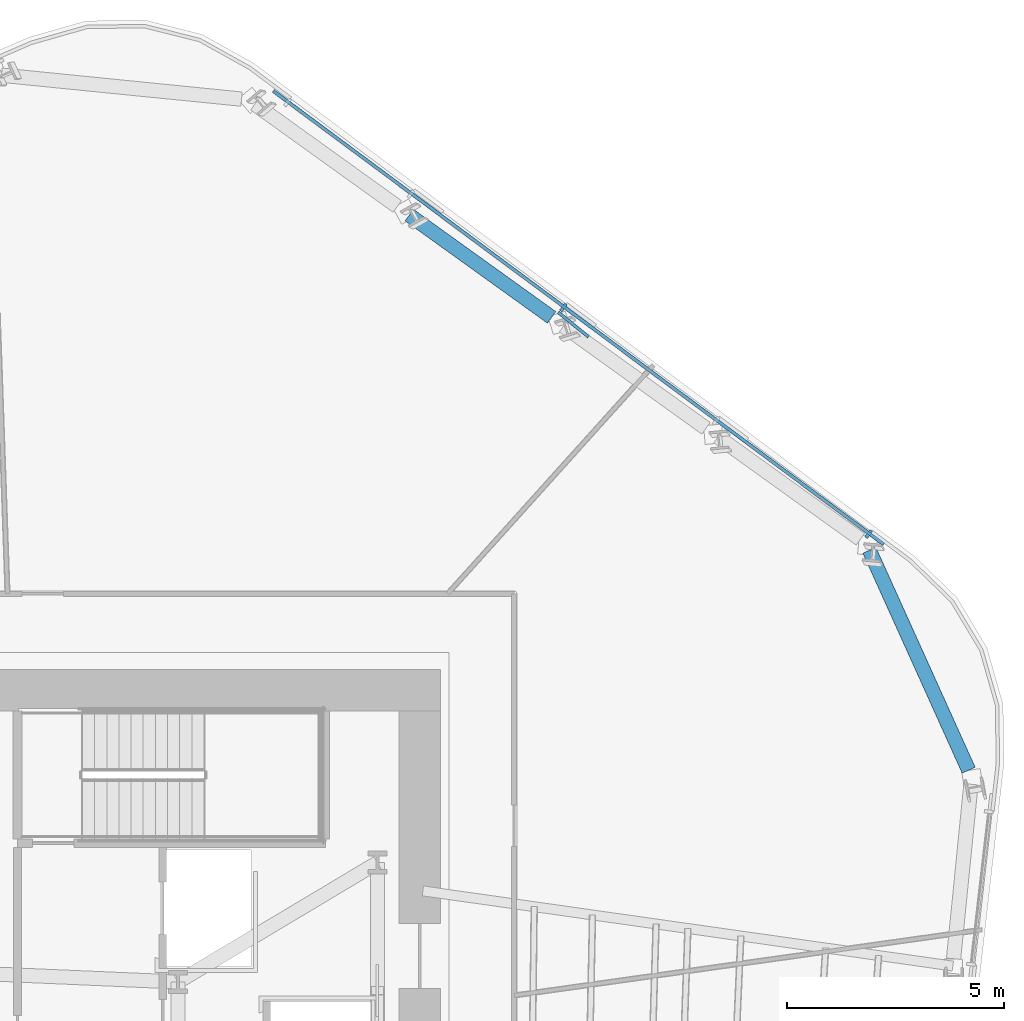
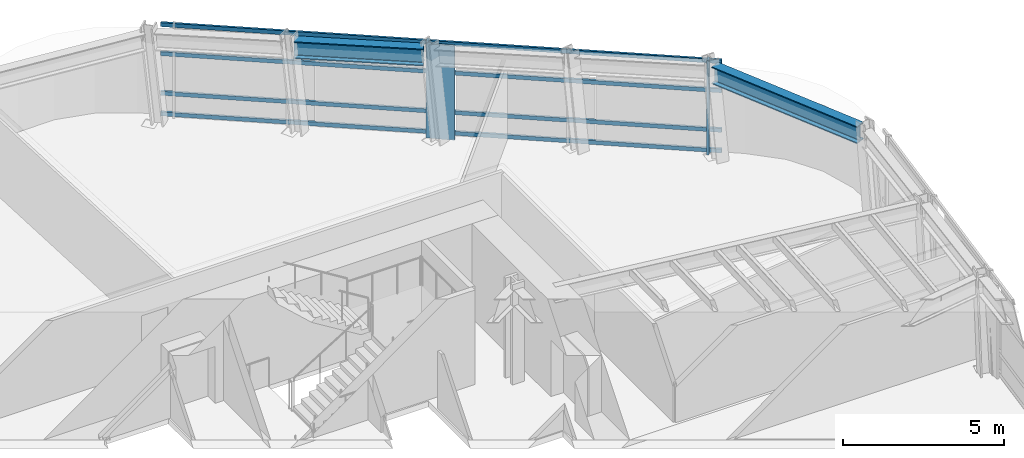
# One storey, part 7 of 16: 7 members, 2 beams, 1 element without a shape of its own.
"""IFC4 building model written with IfcOpenShell, lengths in metres."""

import ifcopenshell
import ifcopenshell.guid

model = None  # the IFC model being written
_history = None  # IfcOwnerHistory: only IFC2X3 demands one
_inside = {}  # id of a spatial element -> (the spatial element, [elements in it])
_under = {}  # id of a project, library or spatial element -> (it, [spatial elements below it])
_declared = {}  # id of a project -> (the project, [libraries it declares])
_typed = {}  # id of a type object -> (the type object, [elements of that type])
_made_of = {}  # id of a material, layer set ... -> (it, [elements and type objects made of it])


def new_model(schema):
    """Start an empty IFC model of exactly this schema.

    Asked for "IFC4X3", IfcOpenShell would pick the latest addendum, in which some entities
    have other attributes; the version numbers below select the first issue.
    IFC2X3 requires an IfcOwnerHistory on every rooted entity: one is made here for all.
    """
    global model, _history
    if schema == "IFC4X3":
        model = ifcopenshell.file(schema_version=(4, 3, 0, 0))
    else:
        model = ifcopenshell.file(schema=schema)
    _inside.clear()
    _under.clear()
    _declared.clear()
    _typed.clear()
    _made_of.clear()
    _history = None
    if model.schema == "IFC2X3":
        org = make("IfcOrganization", Name="unknown")
        user = make(
            "IfcPersonAndOrganization",
            ThePerson=make("IfcPerson", FamilyName="unknown"),
            TheOrganization=org,
        )
        app = make(
            "IfcApplication",
            ApplicationDeveloper=org,
            Version="unknown",
            ApplicationFullName="unknown",
            ApplicationIdentifier="unknown",
        )
        _history = make(
            "IfcOwnerHistory",
            OwningUser=user,
            OwningApplication=app,
            ChangeAction="ADDED",
            CreationDate=0,
        )
    return model


def make(cls, **values):
    """One entity of the class cls with the attributes given. An attribute that is None is left unset."""
    return model.create_entity(
        cls, **{name: value for name, value in values.items() if value is not None}
    )


def rooted(cls, **values):
    """An entity with a GlobalId (a new one), such as an element, a storey or a relation."""
    return make(cls, GlobalId=ifcopenshell.guid.new(), OwnerHistory=_history, **values)


def si_unit(unit_type, name, prefix=None):
    """IfcSIUnit, for example si_unit("LENGTHUNIT", "METRE", prefix="MILLI")."""
    return make("IfcSIUnit", UnitType=unit_type, Prefix=prefix, Name=name)


def assignment(units):
    """IfcUnitAssignment: the units of a project."""
    return None if units is None else make("IfcUnitAssignment", Units=units)


def point(xyz):
    """IfcCartesianPoint."""
    return None if xyz is None else make("IfcCartesianPoint", Coordinates=xyz)


def direction(xyz):
    """IfcDirection."""
    return None if xyz is None else make("IfcDirection", DirectionRatios=xyz)


def frame(location, z_axis=None, x_axis=None):
    """IfcAxis2Placement3D, a coordinate frame: its origin and axes. An axis left out is left unset."""
    return make(
        "IfcAxis2Placement3D",
        Location=point(location),
        Axis=direction(z_axis),
        RefDirection=direction(x_axis),
    )


def frame_2d(location, x_axis=None):
    """IfcAxis2Placement2D, a coordinate frame in the plane: its origin and x axis."""
    return make(
        "IfcAxis2Placement2D", Location=point(location), RefDirection=direction(x_axis)
    )


def origin():
    """The frame at (0, 0, 0) with its axes left unset."""
    return frame((0.0, 0.0, 0.0))


def origin_2d():
    """The frame at (0, 0) in the plane with its x axis left unset."""
    return frame_2d((0.0, 0.0))


def place(relative_to, where):
    """IfcLocalPlacement: puts the frame where relative to a parent placement (None: the world)."""
    return make(
        "IfcLocalPlacement", PlacementRelTo=relative_to, RelativePlacement=where
    )


def context(
    kind, dimensions, precision=None, world=None, true_north=None, identifier=None
):
    """IfcGeometricRepresentationContext, for example the 3D "Model" context."""
    return make(
        "IfcGeometricRepresentationContext",
        ContextIdentifier=identifier,
        ContextType=kind,
        CoordinateSpaceDimension=dimensions,
        Precision=precision,
        WorldCoordinateSystem=world,
        TrueNorth=true_north,
    )


def subcontext(parent, identifier, kind, view, scale=None):
    """IfcGeometricRepresentationSubContext, for example "Body" below "Model"."""
    return make(
        "IfcGeometricRepresentationSubContext",
        ContextIdentifier=identifier,
        ContextType=kind,
        ParentContext=parent,
        TargetScale=scale,
        TargetView=view,
    )


def project(units=None, contexts=None):
    """IfcProject with its units and contexts."""
    return rooted(
        "IfcProject",
        Name="project",
        RepresentationContexts=contexts,
        UnitsInContext=assignment(units),
    )


def spatial(cls, under=None, at=None, **own):
    """A site, building, storey or space (cls), placed at a placement, below another one or the project."""
    s = rooted(cls, ObjectPlacement=at, **own)
    if under is not None:
        _under.setdefault(under.id(), (under, []))[1].append(s)
    return s


def profile(cls, at=None, kind="AREA", **sizes):
    """A parametric profile (cls). Its sizes go by their IFC names, for example OverallWidth=200.0."""
    return make(cls, ProfileType=kind, Position=at, **sizes)


def rectangle(**sizes):
    """IfcRectangleProfileDef."""
    return profile("IfcRectangleProfileDef", **sizes)


def i_section(**sizes):
    """IfcIShapeProfileDef."""
    return profile("IfcIShapeProfileDef", **sizes)


def extrude(swept, where, along, depth):
    """IfcExtrudedAreaSolid: the profile swept, set in the frame where, extruded along a direction by depth."""
    return make(
        "IfcExtrudedAreaSolid",
        SweptArea=swept,
        Position=where,
        ExtrudedDirection=direction(along),
        Depth=depth,
    )


def shape(context_of_items, identifier, shape_type, items):
    """IfcShapeRepresentation: the items that make up one representation, for example the "Body"."""
    return make(
        "IfcShapeRepresentation",
        ContextOfItems=context_of_items,
        RepresentationIdentifier=identifier,
        RepresentationType=shape_type,
        Items=items,
    )


def material(Name=None, Category=None):
    """IfcMaterial."""
    return make("IfcMaterial", Name=Name, Category=Category)


def layer(
    of_material, thickness, ventilated=None, Name=None, Category=None, Priority=None
):
    """IfcMaterialLayer: one layer of a wall or slab, of a material (None: an air gap)."""
    return make(
        "IfcMaterialLayer",
        Material=of_material,
        LayerThickness=thickness,
        IsVentilated=ventilated,
        Name=Name,
        Category=Category,
        Priority=Priority,
    )


def layer_set(layers, Name=None):
    """IfcMaterialLayerSet."""
    return make("IfcMaterialLayerSet", MaterialLayers=layers, LayerSetName=Name)


def material_profile(
    of_material, cross_section, Name=None, Category=None, Priority=None
):
    """IfcMaterialProfile: a cross section and its material."""
    return make(
        "IfcMaterialProfile",
        Name=Name,
        Material=of_material,
        Profile=cross_section,
        Priority=Priority,
        Category=Category,
    )


def profile_set(profiles, Name=None, composite=None):
    """IfcMaterialProfileSet."""
    return make(
        "IfcMaterialProfileSet",
        Name=Name,
        MaterialProfiles=profiles,
        CompositeProfile=composite,
    )


def made_of(thing, what):
    """Note that an element or type object is made of a material, layer set ...; save() writes the relation."""
    if what is not None:
        _made_of.setdefault(what.id(), (what, []))[1].append(thing)
    return thing


def type_object(cls, material=None, **own):
    """A type object (cls), such as IfcWallType, which elements share."""
    return made_of(rooted(cls, **own), material)


def element(
    cls,
    number,
    at=None,
    inside=None,
    cuts=None,
    type_object=None,
    material=None,
    context=None,
    identifier="Body",
    shape_type=None,
    held_by="IfcProductDefinitionShape",
    body=None,
    shapes=None,
    **own,
):
    """One element of the class cls, such as IfcWall. Its Tag is "e" and its number.

    at: its placement. inside: the storey or other place that contains it. cuts: it is an
    opening in that element (IfcRelVoidsElement). A single representation is given by context,
    identifier, shape_type and body (its items); several are given by shapes. held_by: the class
    of the entity that holds the representations. save() writes the other relations.
    """
    e = rooted(cls, Tag="e%d" % number, ObjectPlacement=at, **own)
    if body is not None:
        shapes = [shape(context, identifier, shape_type, body)]
    if shapes is not None:
        e.Representation = make(held_by, Representations=shapes)
    if inside is not None:
        _inside.setdefault(inside.id(), (inside, []))[1].append(e)
    if cuts is not None:
        rooted(
            "IfcRelVoidsElement", RelatingBuildingElement=cuts, RelatedOpeningElement=e
        )
    if type_object is not None:
        _typed.setdefault(type_object.id(), (type_object, []))[1].append(e)
    return made_of(e, material)


def aggregate(whole, parts):
    """IfcRelAggregates: a whole, such as a stair, and the parts it consists of."""
    return rooted("IfcRelAggregates", RelatingObject=whole, RelatedObjects=parts)


def save(model, path):
    """Write the relations noted so far, then the file.

    IfcRelAggregates (storeys below a building ...), IfcRelContainedInSpatialStructure (elements
    in a storey), IfcRelDefinesByType, IfcRelAssociatesMaterial and IfcRelDeclares: one each for
    every whole, place, type object, material and project.
    """
    for whole, parts in _under.values():
        aggregate(whole, parts)
    for where, things in _inside.values():
        rooted(
            "IfcRelContainedInSpatialStructure",
            RelatedElements=things,
            RelatingStructure=where,
        )
    for kind, things in _typed.values():
        rooted("IfcRelDefinesByType", RelatedObjects=things, RelatingType=kind)
    for what, things in _made_of.values():
        rooted("IfcRelAssociatesMaterial", RelatedObjects=things, RelatingMaterial=what)
    for by, libraries in _declared.values():
        rooted("IfcRelDeclares", RelatingContext=by, RelatedDefinitions=libraries)
    model.write(path)


model = new_model("IFC4")

# Units and contexts
model_context = context("Model", 3, precision=1e-05, world=origin(), true_north=direction((0.0, 1.0)))
body_context = subcontext(model_context, "Body", "Model", "MODEL_VIEW")
ifc_project = project(units=[si_unit("LENGTHUNIT", "METRE"), si_unit("AREAUNIT", "SQUARE_METRE"), si_unit("VOLUMEUNIT", "CUBIC_METRE"), si_unit("PLANEANGLEUNIT", "RADIAN"), si_unit("MASSUNIT", "GRAM", prefix="KILO")], contexts=[model_context])

# Site, building, storey
site_placement = place(None, origin())
site = spatial("IfcSite", under=ifc_project, at=site_placement, CompositionType="ELEMENT")
building_placement = place(site_placement, origin())
building = spatial("IfcBuilding", under=site, at=building_placement, Name="Valkerne Bourse Tower", CompositionType="ELEMENT")
storey_placement = place(building_placement, frame((0.0, 0.0, 123.800048828125)))
storey = spatial("IfcBuildingStorey", under=building, at=storey_placement, Name="L31", CompositionType="ELEMENT", Elevation=123.800048828125)

# Beams
ifc_material_1 = material(Name="Steel ASTM A992", Category="steel")
ifc_material_profile_1 = material_profile(ifc_material_1, i_section(OverallWidth=0.330078125, OverallDepth=0.647705078125, WebThickness=0.0205078125, FlangeThickness=0.037109375, FilletRadius=0.020263671875, at=origin_2d()), Name="W24X192")
ifc_profile_set_1 = profile_set([ifc_material_profile_1], Name="Steel ASTM A992")
beam_type = type_object("IfcBeamType", Name="BM-W24X192", PredefinedType="SPANDREL", material=ifc_profile_set_1)
beam_1_placement = place(storey_placement, frame((58.967529296875, 44.22412109375, 3.256103515625), z_axis=(-0.812065449901, 0.583566367329, 0.0), x_axis=(-0.583566367329, -0.812065449901, 0.0)))
element("IfcBeam", 1, at=beam_1_placement, inside=storey, type_object=beam_type, Name="L31 Hexagonal Spandrel Ring Beam 02", PredefinedType="SPANDREL", context=body_context, shape_type="SweptSolid", body=[
    extrude(i_section(OverallWidth=0.330078125, OverallDepth=0.647705078125, WebThickness=0.0205078125, FlangeThickness=0.037109375, FilletRadius=0.020263671875, at=origin_2d()), origin(), (0.0, 0.0, 1.0), 4.04296875),
])
beam_2_placement = place(storey_placement, frame((68.583984375, 33.783203125, 3.256103515625), z_axis=(-0.411500905158, 0.91140935098, 0.0), x_axis=(-0.91140935098, -0.411500905158, 0.0)))
element("IfcBeam", 2, at=beam_2_placement, inside=storey, type_object=beam_type, Name="L31 Hexagonal Spandrel Ring Beam 29", PredefinedType="SPANDREL", context=body_context, shape_type="SweptSolid", body=[
    extrude(i_section(OverallWidth=0.330078125, OverallDepth=0.647705078125, WebThickness=0.0205078125, FlangeThickness=0.037109375, FilletRadius=0.020263671875, at=origin_2d()), origin(), (0.0, 0.0, 1.0), 5.564453125),
])

# Curtain wall, members
ifc_material_2 = material(Name="Aluminium AA 6063-T6", Category="aluminium")
ifc_layer = layer(ifc_material_2, 0.22998046875)
ifc_layer_set = layer_set([ifc_layer], Name="Aluminium AA 6063-T6")
curtain_wall_type = type_object("IfcCurtainWallType", Name="CW-02", PredefinedType="NOTDEFINED", material=ifc_layer_set)
curtain_wall_placement = place(storey_placement, origin())
curtain_wall = element("IfcCurtainWall", 3, at=curtain_wall_placement, inside=storey, type_object=curtain_wall_type, Name="L31 Hexagonal Stick Curtain Wall Face 1", PredefinedType="NOTDEFINED")
ifc_material_profile_2 = material_profile(ifc_material_2, rectangle(XDim=0.074951171875, YDim=0.199951171875, at=origin_2d()), Name="CWM-75X200")
ifc_profile_set_2 = profile_set([ifc_material_profile_2], Name="Aluminium AA 6063-T6")
member_type_1 = type_object("IfcMemberType", Name="CW-MUL-220X75", PredefinedType="MULLION", material=ifc_profile_set_2)
member_1_placement = place(storey_placement, frame((66.27587890625, 39.2265625, 0.0), z_axis=(0.0, 0.0, 1.0), x_axis=(-0.802819358075, 0.596222339652, 0.0)))
member_1 = element("IfcMember", 4, at=member_1_placement, type_object=member_type_1, Name="CW-L31-F1 Jamb Mullion 00A", PredefinedType="MULLION", context=body_context, shape_type="SweptSolid", body=[
    extrude(rectangle(XDim=0.074951171875, YDim=0.199951171875, at=origin_2d()), origin(), (0.0, 0.0, 1.0), 3.579833984375),
])
member_2_placement = place(storey_placement, frame((59.238525390625, 44.452880859375, 0.0), z_axis=(0.0, 0.0, 1.0), x_axis=(-0.802819358075, 0.596222339652, 0.0)))
member_2 = element("IfcMember", 5, at=member_2_placement, type_object=member_type_1, Name="CW-L31-F1 Jamb Mullion 02A", PredefinedType="MULLION", context=body_context, shape_type="SweptSolid", body=[
    extrude(rectangle(XDim=0.074951171875, YDim=0.199951171875, at=origin_2d()), origin(), (0.0, 0.0, 1.0), 3.579833984375),
])
ifc_material_profile_3 = material_profile(ifc_material_2, rectangle(XDim=0.074951171875, YDim=0.14990234375, at=origin_2d()), Name="CWT-75X150")
ifc_profile_set_3 = profile_set([ifc_material_profile_3], Name="Aluminium AA 6063-T6")
member_type_2 = type_object("IfcMemberType", Name="CW-TRN-180X65", PredefinedType="USERDEFINED", material=ifc_profile_set_3)
member_3_placement = place(storey_placement, frame((66.625, 38.9921875, 0.119873046875), z_axis=(-0.802820215638, 0.596221184933, 0.0), x_axis=(-0.596221184933, -0.802820215638, 0.0)))
member_3 = element("IfcMember", 6, at=member_3_placement, type_object=member_type_2, Name="CW-L31-F1 Continuous Face Transom 1", ObjectType="TRANSOM", PredefinedType="USERDEFINED", context=body_context, shape_type="SweptSolid", body=[
    extrude(rectangle(XDim=0.074951171875, YDim=0.14990234375, at=origin_2d()), origin(), (0.0, 0.0, 1.0), 17.531982421875),
])
member_4_placement = place(storey_placement, frame((66.625, 38.9921875, 0.89990234375), z_axis=(-0.802820215638, 0.596221184933, 0.0), x_axis=(-0.596221184933, -0.802820215638, 0.0)))
member_4 = element("IfcMember", 7, at=member_4_placement, type_object=member_type_2, Name="CW-L31-F1 Continuous Face Transom 2", ObjectType="TRANSOM", PredefinedType="USERDEFINED", context=body_context, shape_type="SweptSolid", body=[
    extrude(rectangle(XDim=0.074951171875, YDim=0.14990234375, at=origin_2d()), origin(), (0.0, 0.0, 1.0), 17.531982421875),
])
member_5_placement = place(storey_placement, frame((66.625, 38.9921875, 2.39990234375), z_axis=(-0.802820215638, 0.596221184933, 0.0), x_axis=(-0.596221184933, -0.802820215638, 0.0)))
member_5 = element("IfcMember", 8, at=member_5_placement, type_object=member_type_2, Name="CW-L31-F1 Continuous Face Transom 3", ObjectType="TRANSOM", PredefinedType="USERDEFINED", context=body_context, shape_type="SweptSolid", body=[
    extrude(rectangle(XDim=0.074951171875, YDim=0.14990234375, at=origin_2d()), origin(), (0.0, 0.0, 1.0), 17.531982421875),
])
member_6_placement = place(storey_placement, frame((66.625, 38.9921875, 3.5), z_axis=(-0.802820215638, 0.596221184933, 0.0), x_axis=(-0.596221184933, -0.802820215638, 0.0)))
member_6 = element("IfcMember", 9, at=member_6_placement, type_object=member_type_2, Name="CW-L31-F1 Continuous Face Transom 4", ObjectType="TRANSOM", PredefinedType="USERDEFINED", context=body_context, shape_type="SweptSolid", body=[
    extrude(rectangle(XDim=0.074951171875, YDim=0.14990234375, at=origin_2d()), origin(), (0.0, 0.0, 1.0), 17.531982421875),
])
aggregate(curtain_wall, [member_3, member_4, member_5, member_6, member_1, member_2])

# Member
ifc_material_3 = material(Name="Bronze Anodised Aluminium AA 6063-T6", Category="aluminium")
ifc_material_profile_4 = material_profile(ifc_material_3, rectangle(XDim=0.070068359375, YDim=0.89990234375, at=origin_2d()), Name="FIN-70X900")
ifc_profile_set_4 = profile_set([ifc_material_profile_4], Name="Bronze Anodised Aluminium AA 6063-T6")
member_type_3 = type_object("IfcMemberType", Name="FIN-SOLAR-900", PredefinedType="USERDEFINED", material=ifc_profile_set_4)
member_7_placement = place(storey_placement, frame((59.468505859375, 44.05810546875, 0.00390625), z_axis=(0.0, 0.0, 1.0), x_axis=(0.629413569759, 0.777070497576, 0.0)))
element("IfcMember", 10, at=member_7_placement, inside=storey, type_object=member_type_3, Name="L31 Bronze Anodised Solar Fin F1-02", ObjectType="SOLAR_FIN", PredefinedType="USERDEFINED", context=body_context, shape_type="SweptSolid", body=[
    extrude(rectangle(XDim=0.070068359375, YDim=0.89990234375, at=origin_2d()), origin(), (0.0, 0.0, 1.0), 3.572021484375),
])

save(model, "model.ifc")
